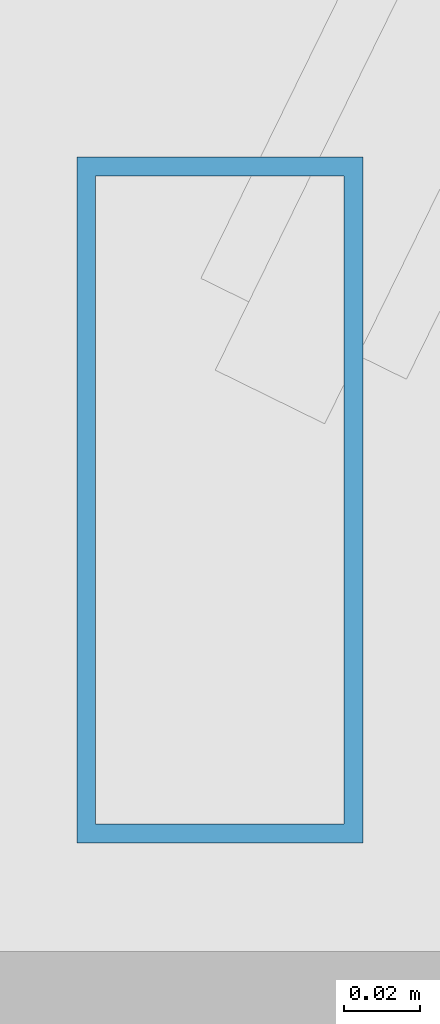
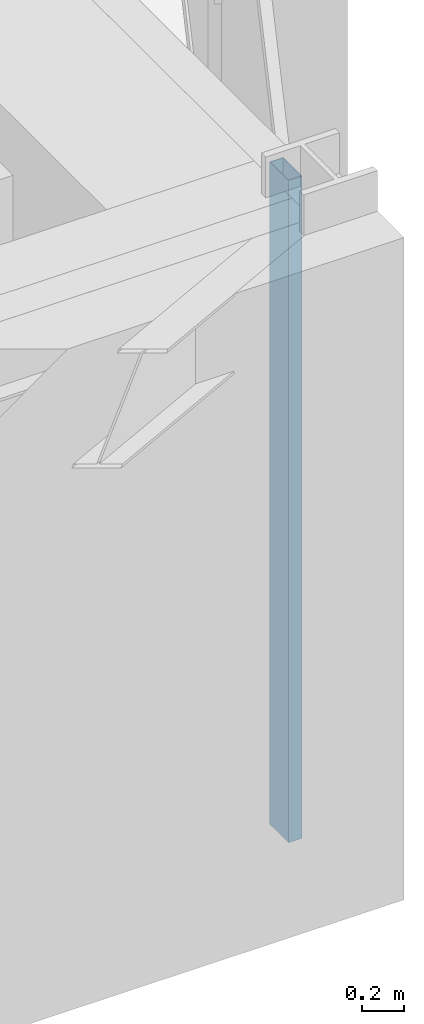
# One storey, part 16 of 31: 1 member, 1 element without a shape of its own.
"""IFC4 building model written with IfcOpenShell, lengths in metres."""

from ifc_helpers import new_model, si_unit, direction, frame, origin, origin_2d, place, context, subcontext, project, spatial, hollow_rectangle, extrude, material, layer, layer_set, material_profile, profile_set, type_object, element, aggregate, save


model = new_model("IFC4")

# Units and contexts
model_context = context("Model", 3, precision=1e-05, world=origin(), true_north=direction((0.0, 1.0)))
body_context = subcontext(model_context, "Body", "Model", "MODEL_VIEW")
ifc_project = project(units=[si_unit("LENGTHUNIT", "METRE"), si_unit("AREAUNIT", "SQUARE_METRE"), si_unit("VOLUMEUNIT", "CUBIC_METRE"), si_unit("PLANEANGLEUNIT", "RADIAN"), si_unit("MASSUNIT", "GRAM", prefix="KILO")], contexts=[model_context])

# Site, building, storey
site_placement = place(None, origin())
site = spatial("IfcSite", under=ifc_project, at=site_placement, CompositionType="ELEMENT")
building_placement = place(site_placement, origin())
building = spatial("IfcBuilding", under=site, at=building_placement, Name="Veymaron Broadcast Tower", CompositionType="ELEMENT")
storey_placement = place(building_placement, frame((0.0, 0.0, 70.199951171875)))
storey = spatial("IfcBuildingStorey", under=building, at=storey_placement, Name="L15", CompositionType="ELEMENT", Elevation=70.199951171875)

# Curtain wall, member
ifc_material_1 = material(Name="Anodised aluminium AA 6063-T6 and laminated low-E dark glass", Category="aluminium")
ifc_layer = layer(ifc_material_1, 0.179931640625)
ifc_layer_set = layer_set([ifc_layer], Name="Anodised aluminium AA 6063-T6 and laminated low-E dark glass")
curtain_wall_type = type_object("IfcCurtainWallType", Name="CW-SYS-02", PredefinedType="NOTDEFINED", material=ifc_layer_set)
curtain_wall_placement = place(storey_placement, origin())
curtain_wall = element("IfcCurtainWall", 1, at=curtain_wall_placement, inside=storey, type_object=curtain_wall_type, Name="L15 dark-glass curtain wall CW-L15-E2-1", PredefinedType="NOTDEFINED")
ifc_material_2 = material(Name="Anodised aluminium AA 6063-T6", Category="aluminium")
ifc_material_profile = material_profile(ifc_material_2, hollow_rectangle(XDim=0.074951171875, YDim=0.179931640625, WallThickness=0.0048828125, at=origin_2d()), Name="AL180X75X5")
ifc_profile_set = profile_set([ifc_material_profile], Name="Anodised aluminium AA 6063-T6")
member_type = type_object("IfcMemberType", Name="CW-MUL-02", PredefinedType="MULLION", material=ifc_profile_set)
member_placement = place(storey_placement, frame((54.60009765625, 16.31787109375, 0.0), z_axis=(0.0, 0.0, 1.0), x_axis=(1.0, 0.0, 0.0)))
member = element("IfcMember", 2, at=member_placement, type_object=member_type, Name="CW-L15-E2-1 mullion 0", PredefinedType="MULLION", context=body_context, shape_type="SweptSolid", body=[
    extrude(hollow_rectangle(XDim=0.074951171875, YDim=0.179931640625, WallThickness=0.0048828125, at=origin_2d()), origin(), (0.0, 0.0, 1.0), 3.81005859375),
])
aggregate(curtain_wall, [member])

save(model, "model.ifc")
